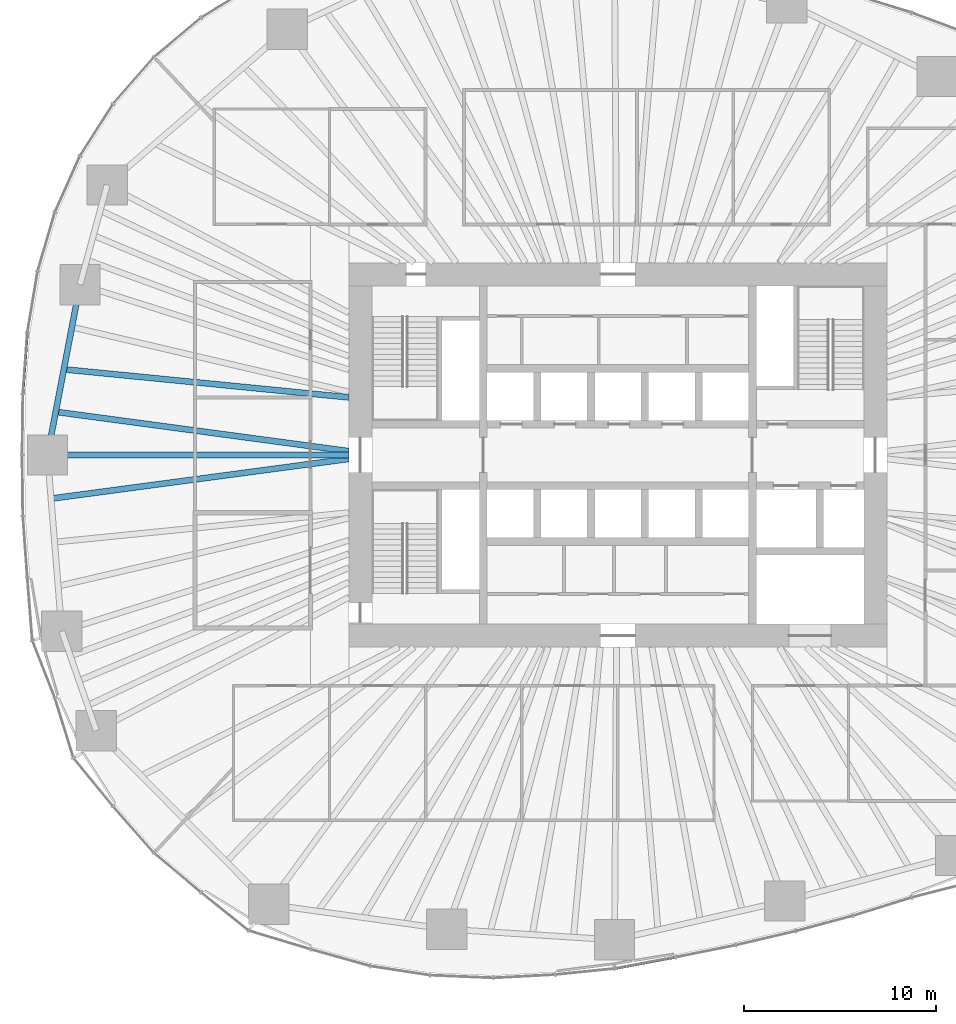
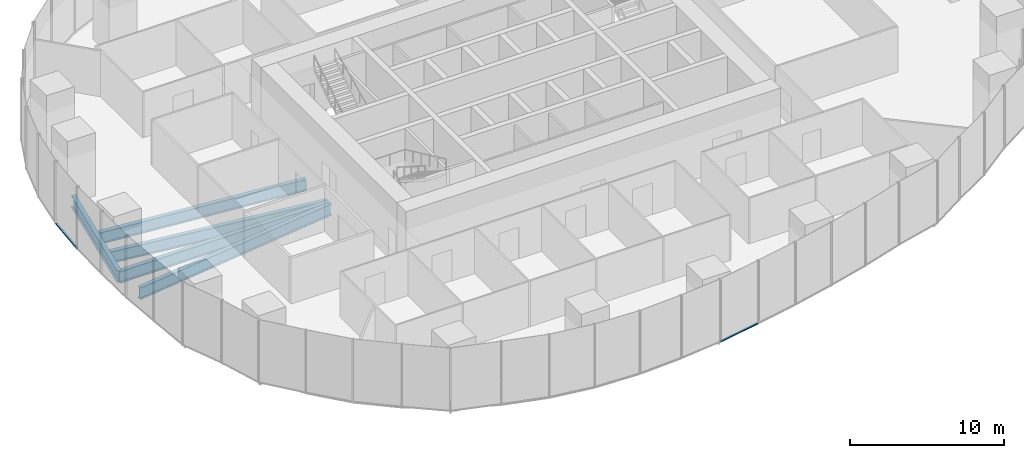
# One storey, part 3 of 20: 5 beams, 2 members, 2 elements without a shape of their own.
"""IFC4 building model written with IfcOpenShell, lengths in metres."""

from ifc_helpers import new_model, si_unit, direction, frame, origin, origin_2d, place, context, subcontext, project, spatial, rectangle, i_section, extrude, material, material_profile, profile_set, type_object, element, aggregate, save


model = new_model("IFC4")

# Units and contexts
model_context = context("Model", 3, precision=1e-05, world=origin(), true_north=direction((0.0, 1.0)))
body_context = subcontext(model_context, "Body", "Model", "MODEL_VIEW")
ifc_project = project(units=[si_unit("LENGTHUNIT", "METRE"), si_unit("AREAUNIT", "SQUARE_METRE"), si_unit("VOLUMEUNIT", "CUBIC_METRE"), si_unit("PLANEANGLEUNIT", "RADIAN"), si_unit("MASSUNIT", "GRAM", prefix="KILO")], contexts=[model_context])

# Site, building, storey
site_placement = place(None, origin())
site = spatial("IfcSite", under=ifc_project, at=site_placement, CompositionType="ELEMENT")
building_placement = place(site_placement, origin())
building = spatial("IfcBuilding", under=site, at=building_placement, Name="Ghaith Harvest Tower", CompositionType="ELEMENT")
storey_placement = place(building_placement, frame((0.0, 0.0, 50.0)))
storey = spatial("IfcBuildingStorey", under=building, at=storey_placement, Name="L10", CompositionType="ELEMENT", Elevation=50.0)

# Curtain wall, member
ifc_material_1 = material(Name="Black anodised aluminium and fritted glass", Category="aluminium")
curtain_wall_type = type_object("IfcCurtainWallType", Name="CW-F CURTAIN WALL", PredefinedType="NOTDEFINED", material=ifc_material_1)
curtain_wall_1_placement = place(storey_placement, origin())
curtain_wall_1 = element("IfcCurtainWall", 1, at=curtain_wall_1_placement, inside=storey, type_object=curtain_wall_type, Name="Curtain wall CW-F bay 10 L10", PredefinedType="NOTDEFINED")
ifc_material_2 = material(Name="Aluminium, black anodised", Category="aluminium")
ifc_material_profile_1 = material_profile(ifc_material_2, rectangle(XDim=0.139892578125, YDim=0.080078125, at=origin_2d()), Name="CW-F TRANSOM 140x80")
ifc_profile_set_1 = profile_set([ifc_material_profile_1], Name="Aluminium, black anodised")
member_type = type_object("IfcMemberType", Name="CW-F TRANSOM 140x80", PredefinedType="USERDEFINED", material=ifc_profile_set_1)
member_1_placement = place(storey_placement, frame((-30.72705078125, 6.335693359375, 0.0400390625), z_axis=(-0.072473547161, -0.997370334912, 0.0), x_axis=(0.997370334912, -0.072473547161, 0.0)))
member_1 = element("IfcMember", 2, at=member_1_placement, type_object=member_type, Name="CW-F transom 2 bay 10 L10", ObjectType="TRANSOM", PredefinedType="USERDEFINED", context=body_context, shape_type="SweptSolid", body=[
    extrude(rectangle(XDim=0.139892578125, YDim=0.080078125, at=origin_2d()), origin(), (0.0, 0.0, 1.0), 3.126220703125),
])
aggregate(curtain_wall_1, [member_1])

curtain_wall_2_placement = place(storey_placement, origin())
curtain_wall_2 = element("IfcCurtainWall", 3, at=curtain_wall_2_placement, inside=storey, type_object=curtain_wall_type, Name="Curtain wall CW-F bay 16 L10", PredefinedType="NOTDEFINED")
member_2_placement = place(storey_placement, frame((-0.1435546875, -26.709716796875, 0.0400390625), z_axis=(0.983139075124, 0.182859396706, 0.0), x_axis=(-0.182859396706, 0.983139075124, 0.0)))
member_2 = element("IfcMember", 4, at=member_2_placement, type_object=member_type, Name="CW-F transom 1 bay 16 L10", ObjectType="TRANSOM", PredefinedType="USERDEFINED", context=body_context, shape_type="SweptSolid", body=[
    extrude(rectangle(XDim=0.139892578125, YDim=0.080078125, at=origin_2d()), origin(), (0.0, 0.0, 1.0), 3.1669921875),
])
aggregate(curtain_wall_2, [member_2])

# Beams
ifc_material_3 = material(Name="Steel ASTM A992 Grade 50", Category="steel")
ifc_material_profile_2 = material_profile(ifc_material_3, i_section(OverallWidth=0.306884765625, OverallDepth=0.94189453125, WebThickness=0.022216796875, FlangeThickness=0.039794921875, at=origin_2d()), Name="W920X345")
ifc_profile_set_2 = profile_set([ifc_material_profile_2], Name="Steel ASTM A992 Grade 50")
beam_type_1 = type_object("IfcBeamType", Name="E920-345 W920X345", PredefinedType="SPANDREL", material=ifc_profile_set_2)
beam_1_placement = place(storey_placement, frame((-27.98291015625, 8.867919921875, -0.6708984375), z_axis=(-0.187433949108, -0.982277208695, 0.0), x_axis=(0.982277208695, -0.187433949108, 0.0)))
element("IfcBeam", 5, at=beam_1_placement, inside=storey, type_object=beam_type_1, Name="Edge beam E10 L10", PredefinedType="SPANDREL", context=body_context, shape_type="SweptSolid", body=[
    extrude(i_section(OverallWidth=0.306884765625, OverallDepth=0.94189453125, WebThickness=0.022216796875, FlangeThickness=0.039794921875, at=origin_2d()), origin(), (0.0, 0.0, 1.0), 9.02783203125),
])
ifc_material_4 = material(Name="Steel ASTM A992 Grade 50", Category="steel")
ifc_material_profile_3 = material_profile(ifc_material_4, i_section(OverallWidth=0.306884765625, OverallDepth=0.94189453125, WebThickness=0.022216796875, FlangeThickness=0.039794921875, at=origin_2d()), Name="W920X345")
ifc_profile_set_3 = profile_set([ifc_material_profile_3], Name="Steel ASTM A992 Grade 50")
beam_type_2 = type_object("IfcBeamType", Name="G920-345 W920X345", PredefinedType="BEAM", material=ifc_profile_set_3)
beam_2_placement = place(storey_placement, frame((-14.0, 0.0, -0.6708984375), z_axis=(-1.0, 0.0, 0.0), x_axis=(0.0, -1.0, 0.0)))
element("IfcBeam", 6, at=beam_2_placement, inside=storey, type_object=beam_type_2, Name="Radial girder G11 L10", PredefinedType="BEAM", context=body_context, shape_type="SweptSolid", body=[
    extrude(i_section(OverallWidth=0.306884765625, OverallDepth=0.94189453125, WebThickness=0.022216796875, FlangeThickness=0.039794921875, at=origin_2d()), origin(), (0.0, 0.0, 1.0), 15.675048828125),
])
ifc_material_5 = material(Name="Steel ASTM A992 Grade 50", Category="steel")
ifc_material_profile_4 = material_profile(ifc_material_5, i_section(OverallWidth=0.31005859375, OverallDepth=0.927001953125, WebThickness=0.019287109375, FlangeThickness=0.031982421875, at=origin_2d()), Name="W920X289")
ifc_profile_set_4 = profile_set([ifc_material_profile_4], Name="Steel ASTM A992 Grade 50")
beam_type_3 = type_object("IfcBeamType", Name="J920-289 W920X289", PredefinedType="JOIST", material=ifc_profile_set_4)
beam_3_placement = place(storey_placement, frame((-14.0, 3.0, -0.66357421875), z_axis=(-0.995196704135, 0.097895454848, 0.0), x_axis=(-0.097895454848, -0.995196704135, 0.0)))
element("IfcBeam", 7, at=beam_3_placement, inside=storey, type_object=beam_type_3, Name="Joist J10.2 L10", PredefinedType="JOIST", context=body_context, shape_type="SweptSolid", body=[
    extrude(i_section(OverallWidth=0.31005859375, OverallDepth=0.927001953125, WebThickness=0.019287109375, FlangeThickness=0.031982421875, at=origin_2d()), origin(), (0.0, 0.0, 1.0), 14.89599609375),
])
beam_4_placement = place(storey_placement, frame((-14.0, 0.199951171875, -0.66357421875), z_axis=(-0.991095171591, 0.133155401128, 0.0), x_axis=(-0.133155401128, -0.991095171591, 0.0)))
element("IfcBeam", 8, at=beam_4_placement, inside=storey, type_object=beam_type_3, Name="Joist J10.3 L10", PredefinedType="JOIST", context=body_context, shape_type="SweptSolid", body=[
    extrude(i_section(OverallWidth=0.31005859375, OverallDepth=0.927001953125, WebThickness=0.019287109375, FlangeThickness=0.031982421875, at=origin_2d()), origin(), (0.0, 0.0, 1.0), 15.383056640625),
])
beam_5_placement = place(storey_placement, frame((-14.0, -0.199951171875, -0.66357421875), z_axis=(-0.991213569042, -0.132271162948, 0.0), x_axis=(0.132271162948, -0.991213569042, 0.0)))
element("IfcBeam", 9, at=beam_5_placement, inside=storey, type_object=beam_type_3, Name="Joist J11.1 L10", PredefinedType="JOIST", context=body_context, shape_type="SweptSolid", body=[
    extrude(i_section(OverallWidth=0.31005859375, OverallDepth=0.927001953125, WebThickness=0.019287109375, FlangeThickness=0.031982421875, at=origin_2d()), origin(), (0.0, 0.0, 1.0), 15.6279296875),
])

save(model, "model.ifc")
